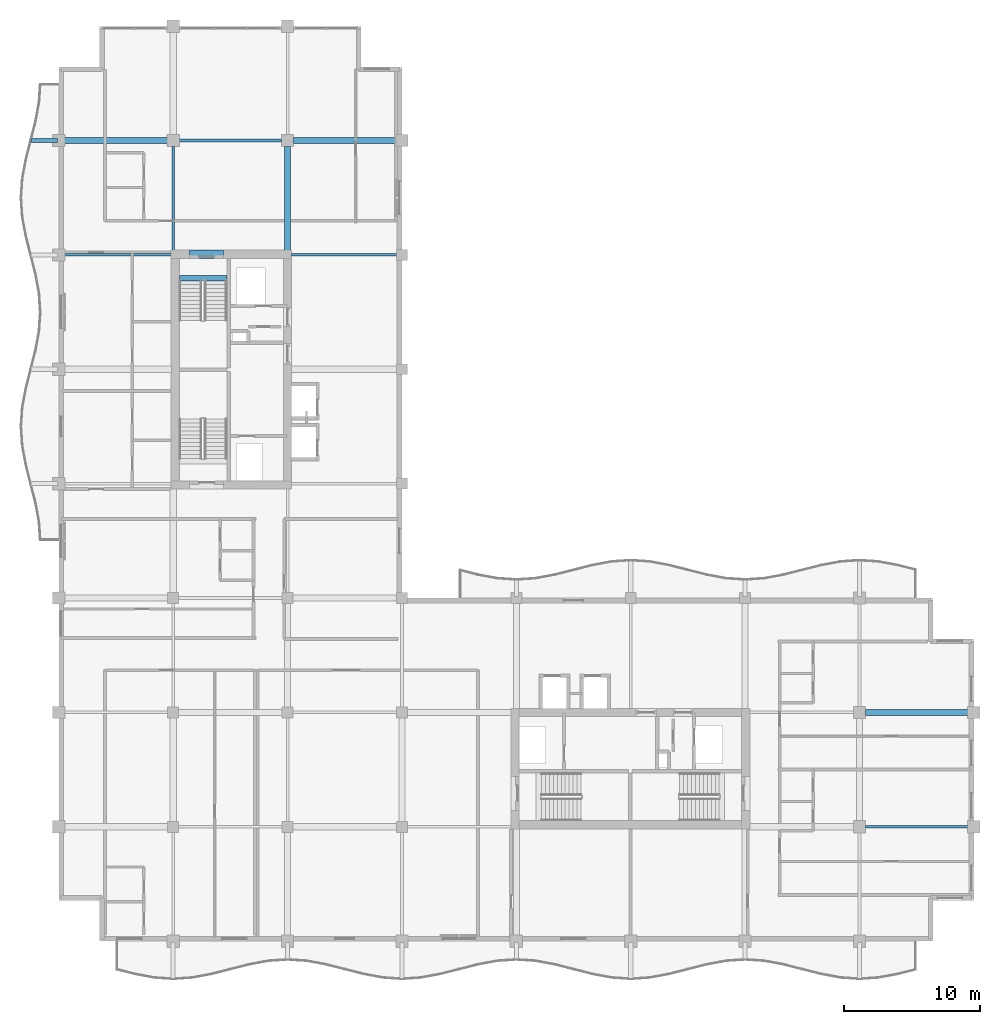
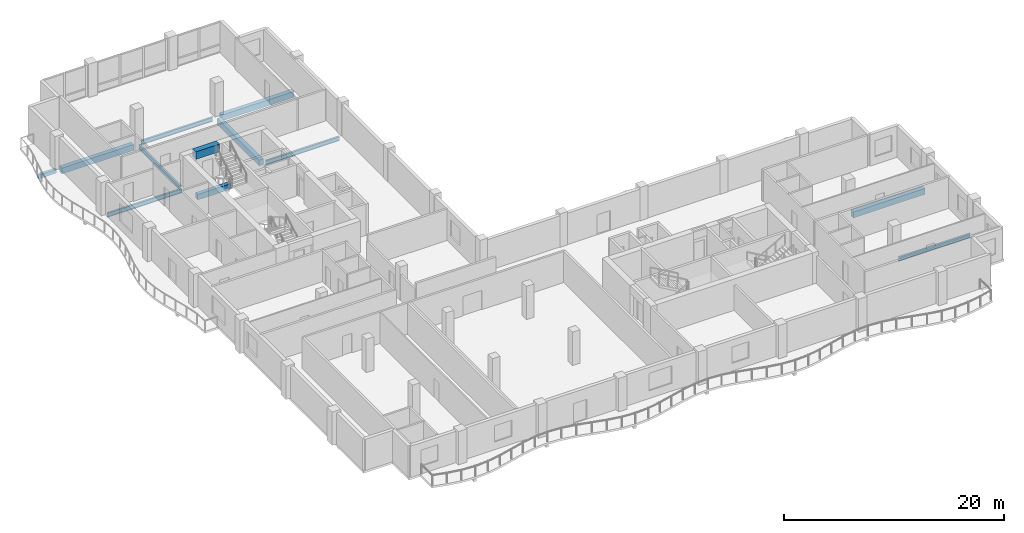
# One storey, part 2 of 16: 12 beams.
"""IFC4 building model written with IfcOpenShell, lengths in metres."""

import ifcopenshell
import ifcopenshell.guid

model = None  # the IFC model being written
_history = None  # IfcOwnerHistory: only IFC2X3 demands one
_inside = {}  # id of a spatial element -> (the spatial element, [elements in it])
_under = {}  # id of a project, library or spatial element -> (it, [spatial elements below it])
_declared = {}  # id of a project -> (the project, [libraries it declares])
_typed = {}  # id of a type object -> (the type object, [elements of that type])
_made_of = {}  # id of a material, layer set ... -> (it, [elements and type objects made of it])


def new_model(schema):
    """Start an empty IFC model of exactly this schema.

    Asked for "IFC4X3", IfcOpenShell would pick the latest addendum, in which some entities
    have other attributes; the version numbers below select the first issue.
    IFC2X3 requires an IfcOwnerHistory on every rooted entity: one is made here for all.
    """
    global model, _history
    if schema == "IFC4X3":
        model = ifcopenshell.file(schema_version=(4, 3, 0, 0))
    else:
        model = ifcopenshell.file(schema=schema)
    _inside.clear()
    _under.clear()
    _declared.clear()
    _typed.clear()
    _made_of.clear()
    _history = None
    if model.schema == "IFC2X3":
        org = make("IfcOrganization", Name="unknown")
        user = make(
            "IfcPersonAndOrganization",
            ThePerson=make("IfcPerson", FamilyName="unknown"),
            TheOrganization=org,
        )
        app = make(
            "IfcApplication",
            ApplicationDeveloper=org,
            Version="unknown",
            ApplicationFullName="unknown",
            ApplicationIdentifier="unknown",
        )
        _history = make(
            "IfcOwnerHistory",
            OwningUser=user,
            OwningApplication=app,
            ChangeAction="ADDED",
            CreationDate=0,
        )
    return model


def make(cls, **values):
    """One entity of the class cls with the attributes given. An attribute that is None is left unset."""
    return model.create_entity(
        cls, **{name: value for name, value in values.items() if value is not None}
    )


def rooted(cls, **values):
    """An entity with a GlobalId (a new one), such as an element, a storey or a relation."""
    return make(cls, GlobalId=ifcopenshell.guid.new(), OwnerHistory=_history, **values)


def si_unit(unit_type, name, prefix=None):
    """IfcSIUnit, for example si_unit("LENGTHUNIT", "METRE", prefix="MILLI")."""
    return make("IfcSIUnit", UnitType=unit_type, Prefix=prefix, Name=name)


def assignment(units):
    """IfcUnitAssignment: the units of a project."""
    return None if units is None else make("IfcUnitAssignment", Units=units)


def point(xyz):
    """IfcCartesianPoint."""
    return None if xyz is None else make("IfcCartesianPoint", Coordinates=xyz)


def direction(xyz):
    """IfcDirection."""
    return None if xyz is None else make("IfcDirection", DirectionRatios=xyz)


def frame(location, z_axis=None, x_axis=None):
    """IfcAxis2Placement3D, a coordinate frame: its origin and axes. An axis left out is left unset."""
    return make(
        "IfcAxis2Placement3D",
        Location=point(location),
        Axis=direction(z_axis),
        RefDirection=direction(x_axis),
    )


def frame_2d(location, x_axis=None):
    """IfcAxis2Placement2D, a coordinate frame in the plane: its origin and x axis."""
    return make(
        "IfcAxis2Placement2D", Location=point(location), RefDirection=direction(x_axis)
    )


def origin():
    """The frame at (0, 0, 0) with its axes left unset."""
    return frame((0.0, 0.0, 0.0))


def origin_2d():
    """The frame at (0, 0) in the plane with its x axis left unset."""
    return frame_2d((0.0, 0.0))


def place(relative_to, where):
    """IfcLocalPlacement: puts the frame where relative to a parent placement (None: the world)."""
    return make(
        "IfcLocalPlacement", PlacementRelTo=relative_to, RelativePlacement=where
    )


def context(
    kind, dimensions, precision=None, world=None, true_north=None, identifier=None
):
    """IfcGeometricRepresentationContext, for example the 3D "Model" context."""
    return make(
        "IfcGeometricRepresentationContext",
        ContextIdentifier=identifier,
        ContextType=kind,
        CoordinateSpaceDimension=dimensions,
        Precision=precision,
        WorldCoordinateSystem=world,
        TrueNorth=true_north,
    )


def subcontext(parent, identifier, kind, view, scale=None):
    """IfcGeometricRepresentationSubContext, for example "Body" below "Model"."""
    return make(
        "IfcGeometricRepresentationSubContext",
        ContextIdentifier=identifier,
        ContextType=kind,
        ParentContext=parent,
        TargetScale=scale,
        TargetView=view,
    )


def project(units=None, contexts=None):
    """IfcProject with its units and contexts."""
    return rooted(
        "IfcProject",
        Name="project",
        RepresentationContexts=contexts,
        UnitsInContext=assignment(units),
    )


def spatial(cls, under=None, at=None, **own):
    """A site, building, storey or space (cls), placed at a placement, below another one or the project."""
    s = rooted(cls, ObjectPlacement=at, **own)
    if under is not None:
        _under.setdefault(under.id(), (under, []))[1].append(s)
    return s


def profile(cls, at=None, kind="AREA", **sizes):
    """A parametric profile (cls). Its sizes go by their IFC names, for example OverallWidth=200.0."""
    return make(cls, ProfileType=kind, Position=at, **sizes)


def rectangle(**sizes):
    """IfcRectangleProfileDef."""
    return profile("IfcRectangleProfileDef", **sizes)


def i_section(**sizes):
    """IfcIShapeProfileDef."""
    return profile("IfcIShapeProfileDef", **sizes)


def extrude(swept, where, along, depth):
    """IfcExtrudedAreaSolid: the profile swept, set in the frame where, extruded along a direction by depth."""
    return make(
        "IfcExtrudedAreaSolid",
        SweptArea=swept,
        Position=where,
        ExtrudedDirection=direction(along),
        Depth=depth,
    )


def shape(context_of_items, identifier, shape_type, items):
    """IfcShapeRepresentation: the items that make up one representation, for example the "Body"."""
    return make(
        "IfcShapeRepresentation",
        ContextOfItems=context_of_items,
        RepresentationIdentifier=identifier,
        RepresentationType=shape_type,
        Items=items,
    )


def material(Name=None, Category=None):
    """IfcMaterial."""
    return make("IfcMaterial", Name=Name, Category=Category)


def material_profile(
    of_material, cross_section, Name=None, Category=None, Priority=None
):
    """IfcMaterialProfile: a cross section and its material."""
    return make(
        "IfcMaterialProfile",
        Name=Name,
        Material=of_material,
        Profile=cross_section,
        Priority=Priority,
        Category=Category,
    )


def profile_set(profiles, Name=None, composite=None):
    """IfcMaterialProfileSet."""
    return make(
        "IfcMaterialProfileSet",
        Name=Name,
        MaterialProfiles=profiles,
        CompositeProfile=composite,
    )


def made_of(thing, what):
    """Note that an element or type object is made of a material, layer set ...; save() writes the relation."""
    if what is not None:
        _made_of.setdefault(what.id(), (what, []))[1].append(thing)
    return thing


def type_object(cls, material=None, **own):
    """A type object (cls), such as IfcWallType, which elements share."""
    return made_of(rooted(cls, **own), material)


def element(
    cls,
    number,
    at=None,
    inside=None,
    cuts=None,
    type_object=None,
    material=None,
    context=None,
    identifier="Body",
    shape_type=None,
    held_by="IfcProductDefinitionShape",
    body=None,
    shapes=None,
    **own,
):
    """One element of the class cls, such as IfcWall. Its Tag is "e" and its number.

    at: its placement. inside: the storey or other place that contains it. cuts: it is an
    opening in that element (IfcRelVoidsElement). A single representation is given by context,
    identifier, shape_type and body (its items); several are given by shapes. held_by: the class
    of the entity that holds the representations. save() writes the other relations.
    """
    e = rooted(cls, Tag="e%d" % number, ObjectPlacement=at, **own)
    if body is not None:
        shapes = [shape(context, identifier, shape_type, body)]
    if shapes is not None:
        e.Representation = make(held_by, Representations=shapes)
    if inside is not None:
        _inside.setdefault(inside.id(), (inside, []))[1].append(e)
    if cuts is not None:
        rooted(
            "IfcRelVoidsElement", RelatingBuildingElement=cuts, RelatedOpeningElement=e
        )
    if type_object is not None:
        _typed.setdefault(type_object.id(), (type_object, []))[1].append(e)
    return made_of(e, material)


def aggregate(whole, parts):
    """IfcRelAggregates: a whole, such as a stair, and the parts it consists of."""
    return rooted("IfcRelAggregates", RelatingObject=whole, RelatedObjects=parts)


def save(model, path):
    """Write the relations noted so far, then the file.

    IfcRelAggregates (storeys below a building ...), IfcRelContainedInSpatialStructure (elements
    in a storey), IfcRelDefinesByType, IfcRelAssociatesMaterial and IfcRelDeclares: one each for
    every whole, place, type object, material and project.
    """
    for whole, parts in _under.values():
        aggregate(whole, parts)
    for where, things in _inside.values():
        rooted(
            "IfcRelContainedInSpatialStructure",
            RelatedElements=things,
            RelatingStructure=where,
        )
    for kind, things in _typed.values():
        rooted("IfcRelDefinesByType", RelatedObjects=things, RelatingType=kind)
    for what, things in _made_of.values():
        rooted("IfcRelAssociatesMaterial", RelatedObjects=things, RelatingMaterial=what)
    for by, libraries in _declared.values():
        rooted("IfcRelDeclares", RelatingContext=by, RelatedDefinitions=libraries)
    model.write(path)


model = new_model("IFC4")

# Units and contexts
model_context = context("Model", 3, precision=1e-05, world=origin(), true_north=direction((0.0, 1.0)))
body_context = subcontext(model_context, "Body", "Model", "MODEL_VIEW")
ifc_project = project(units=[si_unit("LENGTHUNIT", "METRE"), si_unit("AREAUNIT", "SQUARE_METRE"), si_unit("VOLUMEUNIT", "CUBIC_METRE"), si_unit("PLANEANGLEUNIT", "RADIAN"), si_unit("MASSUNIT", "GRAM", prefix="KILO")], contexts=[model_context])

# Site, building, storey
site_placement = place(None, origin())
site = spatial("IfcSite", under=ifc_project, at=site_placement, CompositionType="ELEMENT")
building_placement = place(site_placement, origin())
building = spatial("IfcBuilding", under=site, at=building_placement, Name="Koriwani Terraces Tower", CompositionType="ELEMENT")
storey_placement = place(building_placement, frame((0.0, 0.0, 267.5)))
storey = spatial("IfcBuildingStorey", under=building, at=storey_placement, Name="L66", CompositionType="ELEMENT", Elevation=267.5)

# Beams
ifc_material_1 = material(Name="Concrete C40/50", Category="concrete")
ifc_material_profile_1 = material_profile(ifc_material_1, rectangle(XDim=0.300048828125, YDim=0.39990234375, at=origin_2d()), Name="Concrete C40/50", Category="LoadBearing")
ifc_profile_set_1 = profile_set([ifc_material_profile_1], Name="Concrete C40/50")
beam_type_1 = type_object("IfcBeamType", Name="BEAM_RC_BALCONY_RIB_300X400", PredefinedType="JOIST", material=ifc_profile_set_1)
beam_1_placement = place(storey_placement, frame((6.409912109375, 67.199951171875, -0.429931640625), z_axis=(1.0, 0.0, 0.0), x_axis=(0.0, 1.0, 0.0)))
element("IfcBeam", 1, at=beam_1_placement, inside=storey, type_object=beam_type_1, Name="L66 Balcony Bracket Rib W-4", PredefinedType="JOIST", context=body_context, shape_type="SweptSolid", body=[
    extrude(rectangle(XDim=0.300048828125, YDim=0.39990234375, at=origin_2d()), origin(), (0.0, 0.0, 1.0), 1.89013671875),
])
ifc_material_2 = material(Name="Concrete C50/60", Category="concrete")
ifc_material_profile_2 = material_profile(ifc_material_2, rectangle(XDim=0.60009765625, YDim=0.85009765625, at=origin_2d()), Name="Concrete C50/60", Category="LoadBearing")
ifc_profile_set_2 = profile_set([ifc_material_profile_2], Name="Concrete C50/60")
beam_type_2 = type_object("IfcBeamType", Name="BEAM_RC_COUPLING_600X850", PredefinedType="LINTEL", material=ifc_profile_set_2)
beam_2_placement = place(storey_placement, frame((18.0, 58.85009765625, 3.044921875), z_axis=(1.0, 0.0, 0.0), x_axis=(0.0, 1.0, 0.0)))
element("IfcBeam", 2, at=beam_2_placement, inside=storey, type_object=beam_type_2, Name="L66 Core Coupling Lintel Beam WN", PredefinedType="LINTEL", context=body_context, shape_type="SweptSolid", body=[
    extrude(rectangle(XDim=0.60009765625, YDim=0.85009765625, at=origin_2d()), origin(), (0.0, 0.0, 1.0), 2.5),
])
ifc_material_profile_3 = material_profile(ifc_material_1, rectangle(XDim=0.39990234375, YDim=0.60009765625, at=origin_2d()), Name="Concrete C40/50", Category="LoadBearing")
ifc_profile_set_3 = profile_set([ifc_material_profile_3], Name="Concrete C40/50")
beam_type_3 = type_object("IfcBeamType", Name="BEAM_RC_GRID_400X600", PredefinedType="BEAM", material=ifc_profile_set_3)
beam_3_placement = place(storey_placement, frame((17.25, 57.094970703125, -0.300048828125), z_axis=(1.0, 0.0, 0.0), x_axis=(0.0, 1.0, 0.0)))
element("IfcBeam", 3, at=beam_3_placement, inside=storey, type_object=beam_type_3, Name="L66 Stairwell Header Trimmer Beam ST-W2", PredefinedType="BEAM", context=body_context, shape_type="SweptSolid", body=[
    extrude(rectangle(XDim=0.39990234375, YDim=0.60009765625, at=origin_2d()), origin(), (0.0, 0.0, 1.0), 3.5),
])
ifc_material_profile_4 = material_profile(ifc_material_2, rectangle(XDim=0.449951171875, YDim=0.64990234375, at=origin_2d()), Name="Concrete C50/60", Category="LoadBearing")
ifc_profile_set_4 = profile_set([ifc_material_profile_4], Name="Concrete C50/60")
beam_type_4 = type_object("IfcBeamType", Name="BEAM_RC_GRID_450X650", PredefinedType="BEAM", material=ifc_profile_set_4)
for number, where, z_axis, x_axis, name in (
    (4, (67.6298828125, 25.199951171875, -0.554931640625), (1.0, 0.0, 0.0), (0.0, 1.0, 0.0), "L66 Grid Beam D (67.2-75.6m)"),
    (5, (8.830078125, 67.199951171875, -0.554931640625), (1.0, 0.0, 0.0), (0.0, 1.0, 0.0), "L66 Grid Beam I (8.4-16.8m)"),
    (6, (25.6298828125, 67.199951171875, -0.554931640625), (1.0, 0.0, 0.0), (0.0, 1.0, 0.0), "L66 Grid Beam I (25.2-33.6m)"),
):
    element("IfcBeam", number, at=place(storey_placement, frame(where, z_axis=z_axis, x_axis=x_axis)), inside=storey, type_object=beam_type_4, Name=name, PredefinedType="BEAM", context=body_context, shape_type="SweptSolid", body=[
        extrude(rectangle(XDim=0.449951171875, YDim=0.64990234375, at=origin_2d()), origin(), (0.0, 0.0, 1.0), 7.5400390625),
    ])
beam_4_placement = place(storey_placement, frame((25.199951171875, 59.1298828125, -0.554931640625), z_axis=(0.0, 1.0, 0.0), x_axis=(-1.0, 0.0, 0.0)))
element("IfcBeam", 7, at=beam_4_placement, inside=storey, type_object=beam_type_4, Name="L66 Grid Beam 4 (58.8-67.2m)", PredefinedType="BEAM", context=body_context, shape_type="SweptSolid", body=[
    extrude(rectangle(XDim=0.449951171875, YDim=0.64990234375, at=origin_2d()), origin(), (0.0, 0.0, 1.0), 7.64013671875),
])
ifc_material_3 = material(Name="Steel ASTM A572 Grade 50", Category="steel")
ifc_material_profile_5 = material_profile(ifc_material_3, i_section(OverallWidth=0.193115234375, OverallDepth=0.462890625, WebThickness=0.0107421875, FlangeThickness=0.017333984375, at=origin_2d()), Name="Steel ASTM A572 Grade 50", Category="LoadBearing")
ifc_profile_set_5 = profile_set([ifc_material_profile_5], Name="Steel ASTM A572 Grade 50")
beam_type_5 = type_object("IfcBeamType", Name="STEEL_BEAM_W460X113", PredefinedType="BEAM", material=ifc_profile_set_5)
beam_5_placement = place(storey_placement, frame((67.6298828125, 16.800048828125, -0.46142578125), z_axis=(1.0, 0.0, 0.0), x_axis=(0.0, 1.0, 0.0)))
element("IfcBeam", 8, at=beam_5_placement, inside=storey, type_object=beam_type_5, Name="L66 Grid Beam C (67.2-75.6m)", PredefinedType="BEAM", context=body_context, shape_type="SweptSolid", body=[
    extrude(i_section(OverallWidth=0.193115234375, OverallDepth=0.462890625, WebThickness=0.0107421875, FlangeThickness=0.017333984375, at=origin_2d()), origin(), (0.0, 0.0, 1.0), 7.5400390625),
])
beam_6_placement = place(storey_placement, frame((8.830078125, 58.800048828125, -0.46142578125), z_axis=(1.0, 0.0, 0.0), x_axis=(0.0, 1.0, 0.0)))
element("IfcBeam", 9, at=beam_6_placement, inside=storey, type_object=beam_type_5, Name="L66 Grid Beam H (8.4-16.8m)", PredefinedType="BEAM", context=body_context, shape_type="SweptSolid", body=[
    extrude(i_section(OverallWidth=0.193115234375, OverallDepth=0.462890625, WebThickness=0.0107421875, FlangeThickness=0.017333984375, at=origin_2d()), origin(), (0.0, 0.0, 1.0), 7.83984375),
])
beam_7_placement = place(storey_placement, frame((25.47998046875, 58.800048828125, -0.46142578125), z_axis=(1.0, 0.0, 0.0), x_axis=(0.0, 1.0, 0.0)))
element("IfcBeam", 10, at=beam_7_placement, inside=storey, type_object=beam_type_5, Name="L66 Grid Beam H (25.2-33.6m)", PredefinedType="BEAM", context=body_context, shape_type="SweptSolid", body=[
    extrude(i_section(OverallWidth=0.193115234375, OverallDepth=0.462890625, WebThickness=0.0107421875, FlangeThickness=0.017333984375, at=origin_2d()), origin(), (0.0, 0.0, 1.0), 7.739990234375),
])
beam_8_placement = place(storey_placement, frame((17.22998046875, 67.199951171875, -0.46142578125), z_axis=(1.0, 0.0, 0.0), x_axis=(0.0, 1.0, 0.0)))
element("IfcBeam", 11, at=beam_8_placement, inside=storey, type_object=beam_type_5, Name="L66 Grid Beam I (16.8-25.2m)", PredefinedType="BEAM", context=body_context, shape_type="SweptSolid", body=[
    extrude(i_section(OverallWidth=0.193115234375, OverallDepth=0.462890625, WebThickness=0.0107421875, FlangeThickness=0.017333984375, at=origin_2d()), origin(), (0.0, 0.0, 1.0), 7.5400390625),
])
beam_9_placement = place(storey_placement, frame((16.800048828125, 59.1298828125, -0.46142578125), z_axis=(0.0, 1.0, 0.0), x_axis=(-1.0, 0.0, 0.0)))
element("IfcBeam", 12, at=beam_9_placement, inside=storey, type_object=beam_type_5, Name="L66 Grid Beam 3 (58.8-67.2m)", PredefinedType="BEAM", context=body_context, shape_type="SweptSolid", body=[
    extrude(i_section(OverallWidth=0.193115234375, OverallDepth=0.462890625, WebThickness=0.0107421875, FlangeThickness=0.017333984375, at=origin_2d()), origin(), (0.0, 0.0, 1.0), 7.64013671875),
])

save(model, "model.ifc")
